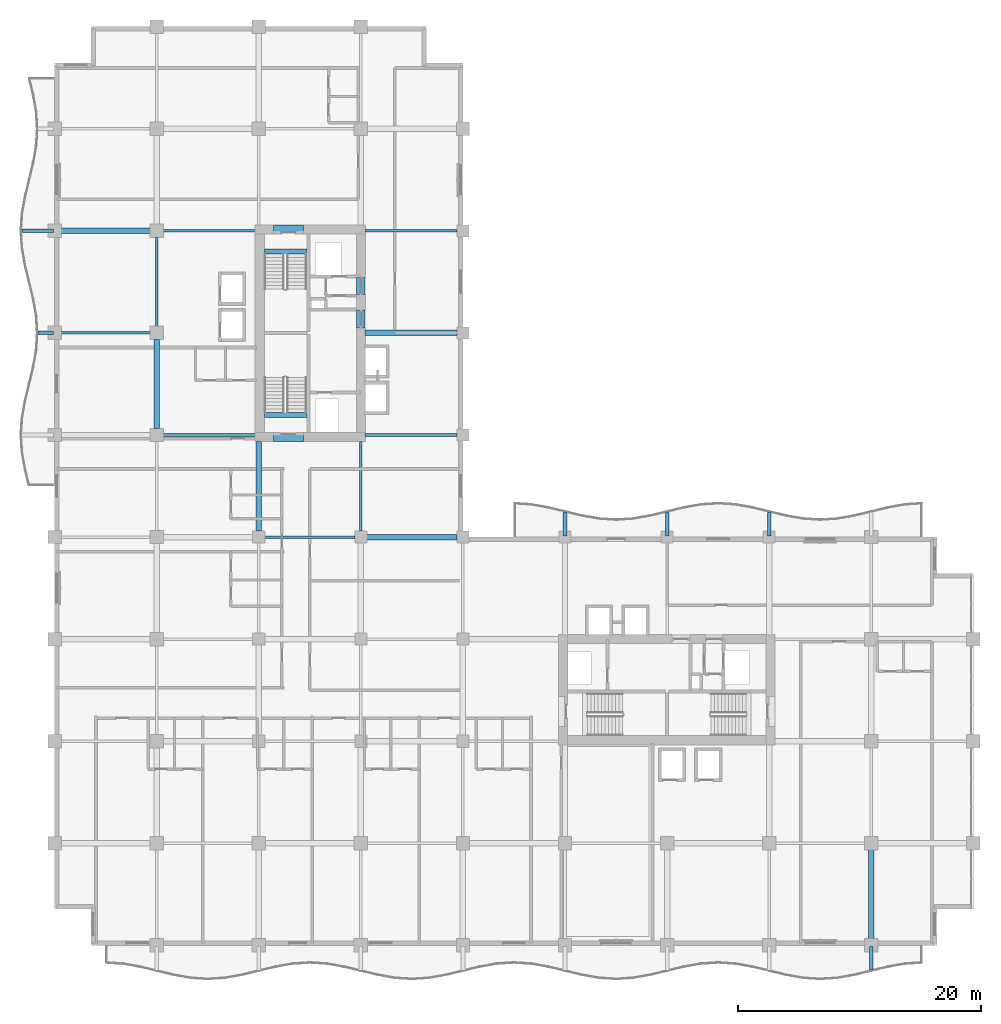
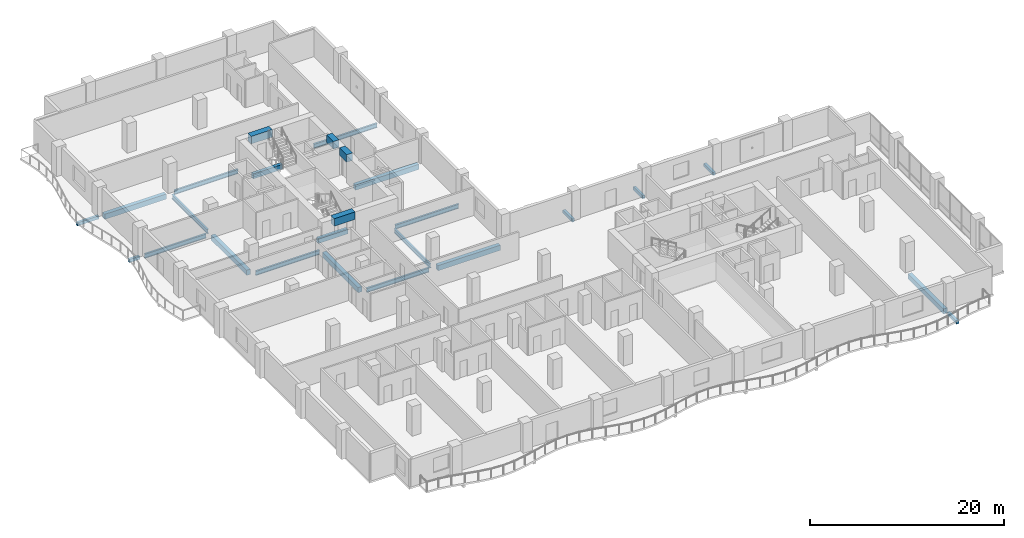
# One storey, part 2 of 22: 26 beams.
"""IFC4 building model written with IfcOpenShell, lengths in metres."""

from ifc_helpers import new_model, si_unit, direction, frame, origin, origin_2d, place, context, subcontext, project, spatial, rectangle, i_section, extrude, material, material_profile, profile_set, type_object, element, save


model = new_model("IFC4")

# Units and contexts
model_context = context("Model", 3, precision=1e-05, world=origin(), true_north=direction((0.0, 1.0)))
body_context = subcontext(model_context, "Body", "Model", "MODEL_VIEW")
ifc_project = project(units=[si_unit("LENGTHUNIT", "METRE"), si_unit("AREAUNIT", "SQUARE_METRE"), si_unit("VOLUMEUNIT", "CUBIC_METRE"), si_unit("PLANEANGLEUNIT", "RADIAN"), si_unit("MASSUNIT", "GRAM", prefix="KILO")], contexts=[model_context])

# Site, building, storey
site_placement = place(None, origin())
site = spatial("IfcSite", under=ifc_project, at=site_placement, CompositionType="ELEMENT")
building_placement = place(site_placement, origin())
building = spatial("IfcBuilding", under=site, at=building_placement, Name="Koriwani Terraces Tower", CompositionType="ELEMENT")
storey_placement = place(building_placement, frame((0.0, 0.0, 168.0)))
storey = spatial("IfcBuildingStorey", under=building, at=storey_placement, Name="L40", CompositionType="ELEMENT", Elevation=168.0)

# Beams
ifc_material_1 = material(Name="Concrete C40/50", Category="concrete")
ifc_material_profile_1 = material_profile(ifc_material_1, rectangle(XDim=0.300048828125, YDim=0.39990234375, at=origin_2d()), Name="Concrete C40/50", Category="LoadBearing")
ifc_profile_set_1 = profile_set([ifc_material_profile_1], Name="Concrete C40/50")
beam_type_1 = type_object("IfcBeamType", Name="BEAM_RC_BALCONY_RIB_300X400", PredefinedType="JOIST", material=ifc_profile_set_1)
beam_1_placement = place(storey_placement, frame((67.199951171875, -2.02490234375, -0.429931640625), z_axis=(0.0, 1.0, 0.0), x_axis=(-1.0, 0.0, 0.0)))
element("IfcBeam", 1, at=beam_1_placement, inside=storey, type_object=beam_type_1, Name="L40 Balcony Bracket Rib S-8", PredefinedType="JOIST", context=body_context, shape_type="SweptSolid", body=[
    extrude(rectangle(XDim=0.300048828125, YDim=0.39990234375, at=origin_2d()), origin(), (0.0, 0.0, 1.0), 1.9248046875),
])
beam_2_placement = place(storey_placement, frame((-1.35009765625, 50.39990234375, -0.429931640625), z_axis=(1.0, 0.0, 0.0), x_axis=(0.0, 1.0, 0.0)))
element("IfcBeam", 2, at=beam_2_placement, inside=storey, type_object=beam_type_1, Name="L40 Balcony Bracket Rib W-2", PredefinedType="JOIST", context=body_context, shape_type="SweptSolid", body=[
    extrude(rectangle(XDim=0.300048828125, YDim=0.39990234375, at=origin_2d()), origin(), (0.0, 0.0, 1.0), 1.25),
])
beam_3_placement = place(storey_placement, frame((-2.699951171875, 58.800048828125, -0.429931640625), z_axis=(1.0, 0.0, 0.0), x_axis=(0.0, 1.0, 0.0)))
element("IfcBeam", 3, at=beam_3_placement, inside=storey, type_object=beam_type_1, Name="L40 Balcony Bracket Rib W-3", PredefinedType="JOIST", context=body_context, shape_type="SweptSolid", body=[
    extrude(rectangle(XDim=0.300048828125, YDim=0.39990234375, at=origin_2d()), origin(), (0.0, 0.0, 1.0), 2.599853515625),
])
for number, where, z_axis, x_axis, name in (
    (4, (42.0, 33.699951171875, -0.429931640625), (0.0, 1.0, 0.0), (-1.0, 0.0, 0.0), "L40 Balcony Bracket Rib NE-1"),
    (5, (50.39990234375, 33.699951171875, -0.429931640625), (0.0, 1.0, 0.0), (-1.0, 0.0, 0.0), "L40 Balcony Bracket Rib NE-2"),
    (6, (58.800048828125, 33.699951171875, -0.429931640625), (0.0, 1.0, 0.0), (-1.0, 0.0, 0.0), "L40 Balcony Bracket Rib NE-3"),
):
    element("IfcBeam", number, at=place(storey_placement, frame(where, z_axis=z_axis, x_axis=x_axis)), inside=storey, type_object=beam_type_1, Name=name, PredefinedType="JOIST", context=body_context, shape_type="SweptSolid", body=[
        extrude(rectangle(XDim=0.300048828125, YDim=0.39990234375, at=origin_2d()), origin(), (0.0, 0.0, 1.0), 1.925048828125),
    ])
ifc_material_2 = material(Name="Concrete C60/75", Category="concrete")
ifc_material_profile_2 = material_profile(ifc_material_2, rectangle(XDim=0.699951171875, YDim=0.949951171875, at=origin_2d()), Name="Concrete C60/75", Category="LoadBearing")
ifc_profile_set_2 = profile_set([ifc_material_profile_2], Name="Concrete C60/75")
beam_type_2 = type_object("IfcBeamType", Name="BEAM_RC_COUPLING_700X950", PredefinedType="LINTEL", material=ifc_profile_set_2)
beam_4_placement = place(storey_placement, frame((25.199951171875, 50.800048828125, 2.9951171875), z_axis=(0.0, 1.0, 0.0), x_axis=(-1.0, 0.0, 0.0)))
element("IfcBeam", 7, at=beam_4_placement, inside=storey, type_object=beam_type_2, Name="L40 Core Coupling Lintel Beam WE1", PredefinedType="LINTEL", context=body_context, shape_type="SweptSolid", body=[
    extrude(rectangle(XDim=0.699951171875, YDim=0.949951171875, at=origin_2d()), origin(), (0.0, 0.0, 1.0), 1.47998046875),
])
beam_5_placement = place(storey_placement, frame((25.199951171875, 53.550048828125, 2.9951171875), z_axis=(0.0, 1.0, 0.0), x_axis=(-1.0, 0.0, 0.0)))
element("IfcBeam", 8, at=beam_5_placement, inside=storey, type_object=beam_type_2, Name="L40 Core Coupling Lintel Beam WE2", PredefinedType="LINTEL", context=body_context, shape_type="SweptSolid", body=[
    extrude(rectangle(XDim=0.699951171875, YDim=0.949951171875, at=origin_2d()), origin(), (0.0, 0.0, 1.0), 1.39990234375),
])
for number, where, z_axis, x_axis, name in (
    (9, (18.0, 41.824951171875, 2.9951171875), (1.0, 0.0, 0.0), (0.0, 1.0, 0.0), "L40 Core Coupling Lintel Beam WS"),
    (10, (18.0, 58.925048828125, 2.9951171875), (1.0, 0.0, 0.0), (0.0, 1.0, 0.0), "L40 Core Coupling Lintel Beam WN"),
):
    element("IfcBeam", number, at=place(storey_placement, frame(where, z_axis=z_axis, x_axis=x_axis)), inside=storey, type_object=beam_type_2, Name=name, PredefinedType="LINTEL", context=body_context, shape_type="SweptSolid", body=[
        extrude(rectangle(XDim=0.699951171875, YDim=0.949951171875, at=origin_2d()), origin(), (0.0, 0.0, 1.0), 2.5),
    ])
ifc_material_profile_3 = material_profile(ifc_material_1, rectangle(XDim=0.39990234375, YDim=0.60009765625, at=origin_2d()), Name="Concrete C40/50", Category="LoadBearing")
ifc_profile_set_3 = profile_set([ifc_material_profile_3], Name="Concrete C40/50")
beam_type_3 = type_object("IfcBeamType", Name="BEAM_RC_GRID_400X600", PredefinedType="BEAM", material=ifc_profile_set_3)
for number, where, z_axis, x_axis, name in (
    (11, (17.25, 43.655029296875, -0.300048828125), (1.0, 0.0, 0.0), (0.0, 1.0, 0.0), "L40 Stairwell Header Trimmer Beam ST-W1"),
    (12, (17.25, 57.094970703125, -0.300048828125), (1.0, 0.0, 0.0), (0.0, 1.0, 0.0), "L40 Stairwell Header Trimmer Beam ST-W2"),
):
    element("IfcBeam", number, at=place(storey_placement, frame(where, z_axis=z_axis, x_axis=x_axis)), inside=storey, type_object=beam_type_3, Name=name, PredefinedType="BEAM", context=body_context, shape_type="SweptSolid", body=[
        extrude(rectangle(XDim=0.39990234375, YDim=0.60009765625, at=origin_2d()), origin(), (0.0, 0.0, 1.0), 3.5),
    ])
ifc_material_3 = material(Name="Concrete C50/60", Category="concrete")
ifc_material_profile_4 = material_profile(ifc_material_3, rectangle(XDim=0.449951171875, YDim=0.64990234375, at=origin_2d()), Name="Concrete C50/60", Category="LoadBearing")
ifc_profile_set_4 = profile_set([ifc_material_profile_4], Name="Concrete C50/60")
beam_type_4 = type_object("IfcBeamType", Name="BEAM_RC_GRID_450X650", PredefinedType="BEAM", material=ifc_profile_set_4)
beam_6_placement = place(storey_placement, frame((25.679931640625, 33.60009765625, -0.554931640625), z_axis=(1.0, 0.0, 0.0), x_axis=(0.0, 1.0, 0.0)))
element("IfcBeam", 13, at=beam_6_placement, inside=storey, type_object=beam_type_4, Name="L40 Grid Beam E (25.2-33.6m)", PredefinedType="BEAM", context=body_context, shape_type="SweptSolid", body=[
    extrude(rectangle(XDim=0.449951171875, YDim=0.64990234375, at=origin_2d()), origin(), (0.0, 0.0, 1.0), 7.440185546875),
])
beam_7_placement = place(storey_placement, frame((25.554931640625, 50.39990234375, -0.554931640625), z_axis=(1.0, 0.0, 0.0), x_axis=(0.0, 1.0, 0.0)))
element("IfcBeam", 14, at=beam_7_placement, inside=storey, type_object=beam_type_4, Name="L40 Grid Beam G (25.2-33.6m)", PredefinedType="BEAM", context=body_context, shape_type="SweptSolid", body=[
    extrude(rectangle(XDim=0.449951171875, YDim=0.64990234375, at=origin_2d()), origin(), (0.0, 0.0, 1.0), 7.565185546875),
])
for number, where, z_axis, x_axis, name in (
    (15, (0.530029296875, 58.800048828125, -0.554931640625), (1.0, 0.0, 0.0), (0.0, 1.0, 0.0), "L40 Grid Beam H (0.0-8.4m)"),
    (16, (8.39990234375, 42.530029296875, -0.554931640625), (0.0, 1.0, 0.0), (-1.0, 0.0, 0.0), "L40 Grid Beam 2 (42.0-50.4m)"),
):
    element("IfcBeam", number, at=place(storey_placement, frame(where, z_axis=z_axis, x_axis=x_axis)), inside=storey, type_object=beam_type_4, Name=name, PredefinedType="BEAM", context=body_context, shape_type="SweptSolid", body=[
        extrude(rectangle(XDim=0.449951171875, YDim=0.64990234375, at=origin_2d()), origin(), (0.0, 0.0, 1.0), 7.340087890625),
    ])
beam_8_placement = place(storey_placement, frame((16.800048828125, 34.080078125, -0.554931640625), z_axis=(0.0, 1.0, 0.0), x_axis=(-1.0, 0.0, 0.0)))
element("IfcBeam", 17, at=beam_8_placement, inside=storey, type_object=beam_type_4, Name="L40 Grid Beam 3 (33.6-42.0m)", PredefinedType="BEAM", context=body_context, shape_type="SweptSolid", body=[
    extrude(rectangle(XDim=0.449951171875, YDim=0.64990234375, at=origin_2d()), origin(), (0.0, 0.0, 1.0), 7.389892578125),
])
beam_9_placement = place(storey_placement, frame((67.199951171875, 0.530029296875, -0.554931640625), z_axis=(0.0, 1.0, 0.0), x_axis=(-1.0, 0.0, 0.0)))
element("IfcBeam", 18, at=beam_9_placement, inside=storey, type_object=beam_type_4, Name="L40 Grid Beam 9 (0.0-8.4m)", PredefinedType="BEAM", context=body_context, shape_type="SweptSolid", body=[
    extrude(rectangle(XDim=0.449951171875, YDim=0.64990234375, at=origin_2d()), origin(), (0.0, 0.0, 1.0), 7.340087890625),
])
ifc_material_4 = material(Name="Steel ASTM A572 Grade 50", Category="steel")
ifc_material_profile_5 = material_profile(ifc_material_4, i_section(OverallWidth=0.2119140625, OverallDepth=0.54296875, WebThickness=0.0126953125, FlangeThickness=0.021240234375, at=origin_2d()), Name="Steel ASTM A572 Grade 50", Category="LoadBearing")
ifc_profile_set_5 = profile_set([ifc_material_profile_5], Name="Steel ASTM A572 Grade 50")
beam_type_5 = type_object("IfcBeamType", Name="STEEL_BEAM_W530X150", PredefinedType="BEAM", material=ifc_profile_set_5)
beam_10_placement = place(storey_placement, frame((17.280029296875, 33.60009765625, -0.50146484375), z_axis=(1.0, 0.0, 0.0), x_axis=(0.0, 1.0, 0.0)))
element("IfcBeam", 19, at=beam_10_placement, inside=storey, type_object=beam_type_5, Name="L40 Grid Beam E (16.8-25.2m)", PredefinedType="BEAM", context=body_context, shape_type="SweptSolid", body=[
    extrude(i_section(OverallWidth=0.2119140625, OverallDepth=0.54296875, WebThickness=0.0126953125, FlangeThickness=0.021240234375, at=origin_2d()), origin(), (0.0, 0.0, 1.0), 7.43994140625),
])
beam_11_placement = place(storey_placement, frame((8.929931640625, 42.0, -0.50146484375), z_axis=(1.0, 0.0, 0.0), x_axis=(0.0, 1.0, 0.0)))
element("IfcBeam", 20, at=beam_11_placement, inside=storey, type_object=beam_type_5, Name="L40 Grid Beam F (8.4-16.8m)", PredefinedType="BEAM", context=body_context, shape_type="SweptSolid", body=[
    extrude(i_section(OverallWidth=0.2119140625, OverallDepth=0.54296875, WebThickness=0.0126953125, FlangeThickness=0.021240234375, at=origin_2d()), origin(), (0.0, 0.0, 1.0), 7.590087890625),
])
beam_12_placement = place(storey_placement, frame((25.554931640625, 42.0, -0.50146484375), z_axis=(1.0, 0.0, 0.0), x_axis=(0.0, 1.0, 0.0)))
element("IfcBeam", 21, at=beam_12_placement, inside=storey, type_object=beam_type_5, Name="L40 Grid Beam F (25.2-33.6m)", PredefinedType="BEAM", context=body_context, shape_type="SweptSolid", body=[
    extrude(i_section(OverallWidth=0.2119140625, OverallDepth=0.54296875, WebThickness=0.0126953125, FlangeThickness=0.021240234375, at=origin_2d()), origin(), (0.0, 0.0, 1.0), 7.565185546875),
])
beam_13_placement = place(storey_placement, frame((0.530029296875, 50.39990234375, -0.50146484375), z_axis=(1.0, 0.0, 0.0), x_axis=(0.0, 1.0, 0.0)))
element("IfcBeam", 22, at=beam_13_placement, inside=storey, type_object=beam_type_5, Name="L40 Grid Beam G (0.0-8.4m)", PredefinedType="BEAM", context=body_context, shape_type="SweptSolid", body=[
    extrude(i_section(OverallWidth=0.2119140625, OverallDepth=0.54296875, WebThickness=0.0126953125, FlangeThickness=0.021240234375, at=origin_2d()), origin(), (0.0, 0.0, 1.0), 7.340087890625),
])
beam_14_placement = place(storey_placement, frame((8.929931640625, 58.800048828125, -0.50146484375), z_axis=(1.0, 0.0, 0.0), x_axis=(0.0, 1.0, 0.0)))
element("IfcBeam", 23, at=beam_14_placement, inside=storey, type_object=beam_type_5, Name="L40 Grid Beam H (8.4-16.8m)", PredefinedType="BEAM", context=body_context, shape_type="SweptSolid", body=[
    extrude(i_section(OverallWidth=0.2119140625, OverallDepth=0.54296875, WebThickness=0.0126953125, FlangeThickness=0.021240234375, at=origin_2d()), origin(), (0.0, 0.0, 1.0), 7.590087890625),
])
beam_15_placement = place(storey_placement, frame((25.554931640625, 58.800048828125, -0.50146484375), z_axis=(1.0, 0.0, 0.0), x_axis=(0.0, 1.0, 0.0)))
element("IfcBeam", 24, at=beam_15_placement, inside=storey, type_object=beam_type_5, Name="L40 Grid Beam H (25.2-33.6m)", PredefinedType="BEAM", context=body_context, shape_type="SweptSolid", body=[
    extrude(i_section(OverallWidth=0.2119140625, OverallDepth=0.54296875, WebThickness=0.0126953125, FlangeThickness=0.021240234375, at=origin_2d()), origin(), (0.0, 0.0, 1.0), 7.565185546875),
])
beam_16_placement = place(storey_placement, frame((8.39990234375, 50.929931640625, -0.50146484375), z_axis=(0.0, 1.0, 0.0), x_axis=(-1.0, 0.0, 0.0)))
element("IfcBeam", 25, at=beam_16_placement, inside=storey, type_object=beam_type_5, Name="L40 Grid Beam 2 (50.4-58.8m)", PredefinedType="BEAM", context=body_context, shape_type="SweptSolid", body=[
    extrude(i_section(OverallWidth=0.2119140625, OverallDepth=0.54296875, WebThickness=0.0126953125, FlangeThickness=0.021240234375, at=origin_2d()), origin(), (0.0, 0.0, 1.0), 7.340087890625),
])
beam_17_placement = place(storey_placement, frame((25.199951171875, 34.080078125, -0.50146484375), z_axis=(0.0, 1.0, 0.0), x_axis=(-1.0, 0.0, 0.0)))
element("IfcBeam", 26, at=beam_17_placement, inside=storey, type_object=beam_type_5, Name="L40 Grid Beam 4 (33.6-42.0m)", PredefinedType="BEAM", context=body_context, shape_type="SweptSolid", body=[
    extrude(i_section(OverallWidth=0.2119140625, OverallDepth=0.54296875, WebThickness=0.0126953125, FlangeThickness=0.021240234375, at=origin_2d()), origin(), (0.0, 0.0, 1.0), 7.389892578125),
])

save(model, "model.ifc")
